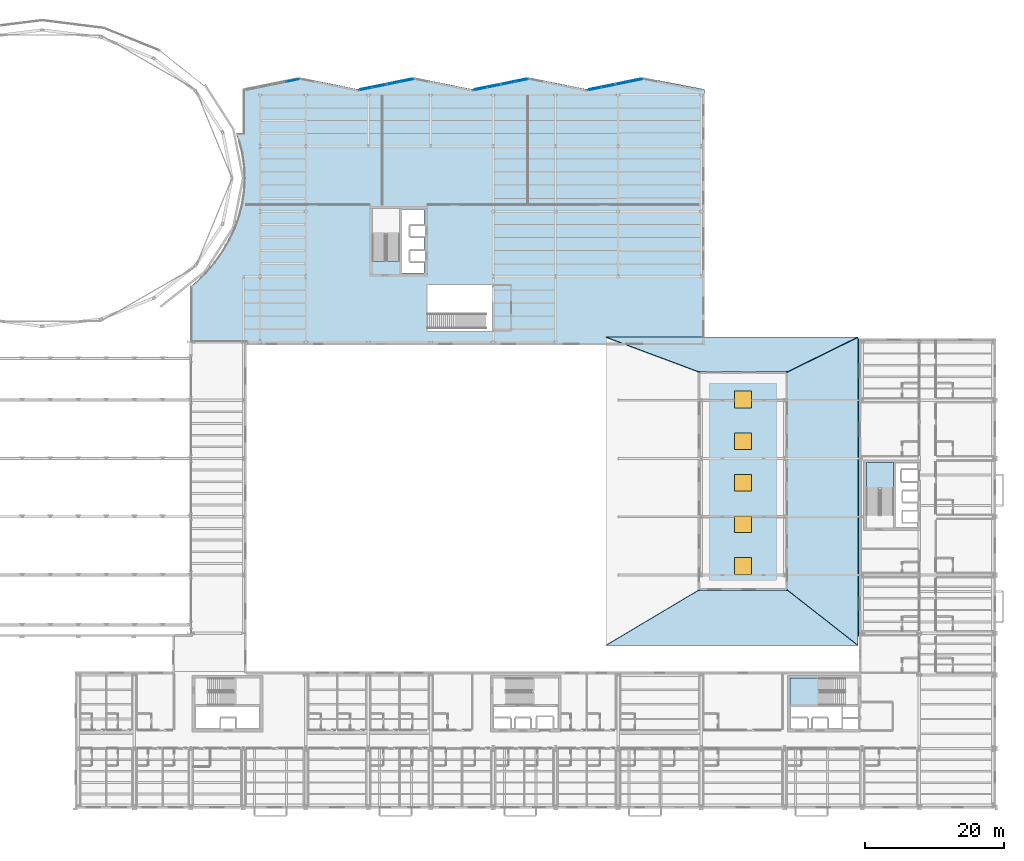
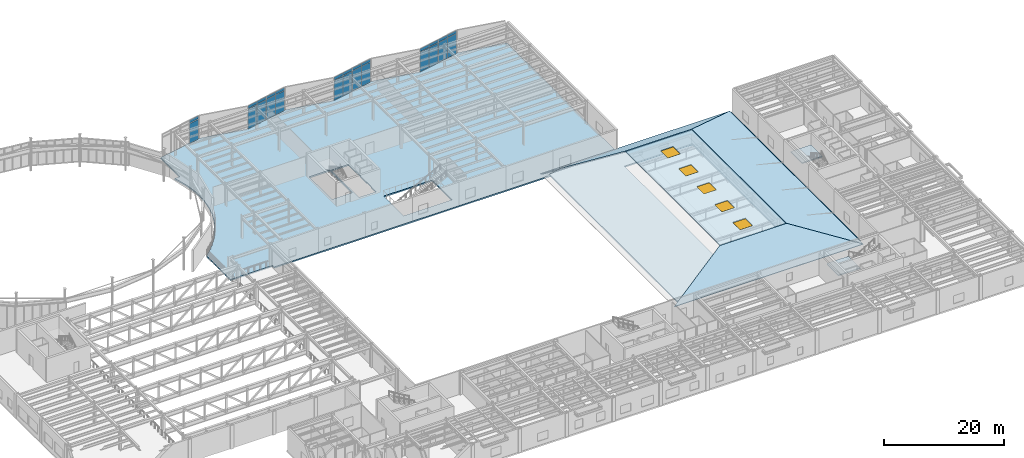
# One storey, part 60 of 91: 29 plates, 8 slabs, 5 windows, 5 openings, 9 elements without a shape of their own.
"""IFC4 building model written with IfcOpenShell, lengths in metres."""

from ifc_helpers import new_model, si_unit, direction, frame, origin, origin_2d, place, context, subcontext, project, spatial, polyline, rectangle, outline, extrude, material, layer, layer_set, type_object, element, fill, aggregate, save


model = new_model("IFC4")

# Units and contexts
model_context = context("Model", 3, precision=1e-05, world=origin(), true_north=direction((0.0, 1.0)))
body_context = subcontext(model_context, "Body", "Model", "MODEL_VIEW")
ifc_project = project(units=[si_unit("LENGTHUNIT", "METRE"), si_unit("AREAUNIT", "SQUARE_METRE"), si_unit("VOLUMEUNIT", "CUBIC_METRE"), si_unit("PLANEANGLEUNIT", "RADIAN"), si_unit("MASSUNIT", "GRAM", prefix="KILO")], contexts=[model_context])

# Site, building, storey
site_placement = place(None, origin())
site = spatial("IfcSite", under=ifc_project, at=site_placement, CompositionType="ELEMENT")
building_placement = place(site_placement, origin())
building = spatial("IfcBuilding", under=site, at=building_placement, Name="Sollismere Congress Hotel", CompositionType="ELEMENT")
storey_placement = place(building_placement, frame((0.0, 0.0, 10.800048828125)))
storey = spatial("IfcBuildingStorey", under=building, at=storey_placement, Name="L02", CompositionType="ELEMENT", Elevation=10.800048828125)

# Curtain wall, plate
ifc_material_1 = material(Name="Anodized Bronze Curtain Wall & Low-E Triple Glazing", Category="glass")
ifc_layer_1 = layer(ifc_material_1, 0.199951171875, Name="Anodized Bronze Curtain Wall & Low-E Triple Glazing")
ifc_layer_set_1 = layer_set([ifc_layer_1], Name="Anodized Bronze Curtain Wall & Low-E Triple Glazing")
curtain_wall_type = type_object("IfcCurtainWallType", Name="CW-GLZ36", PredefinedType="USERDEFINED", material=ifc_layer_set_1)
curtain_wall_1_placement = place(storey_placement, origin())
curtain_wall_1 = element("IfcCurtainWall", 1, at=curtain_wall_1_placement, inside=storey, type_object=curtain_wall_type, Name="Unitised curtain wall CW-L02-098", ObjectType="UNITISED CURTAIN WALL", PredefinedType="USERDEFINED")
ifc_material_2 = material(Name="Blue-Tinted Solar-Control Low-E Vision Glass", Category="glass")
ifc_layer_2 = layer(ifc_material_2, 0.035888671875, Name="Blue-Tinted Solar-Control Low-E Vision Glass")
ifc_layer_set_2 = layer_set([ifc_layer_2], Name="Blue-Tinted Solar-Control Low-E Vision Glass")
plate_type_1 = type_object("IfcPlateType", Name="PL-CWGLZ", PredefinedType="CURTAIN_PANEL", material=ifc_layer_set_2)
plate_1_placement = place(storey_placement, frame((65.11181640625, 104.467041015625, 0.052734375), z_axis=(0.0, 0.0, 1.0), x_axis=(0.979924704621, 0.199367934417, 0.0)))
plate_1 = element("IfcPlate", 2, at=plate_1_placement, type_object=plate_type_1, Name="CWL-CW-L02-098-VP02", PredefinedType="CURTAIN_PANEL", context=body_context, shape_type="SweptSolid", body=[
    extrude(rectangle(XDim=1.955810546875, YDim=0.035888671875, at=origin_2d()), origin(), (0.0, 0.0, 1.0), 4.009033203125),
])

# Curtain wall, plates
curtain_wall_2_placement = place(storey_placement, origin())
curtain_wall_2 = element("IfcCurtainWall", 3, at=curtain_wall_2_placement, inside=storey, type_object=curtain_wall_type, Name="Unitised curtain wall CW-L02-099", ObjectType="UNITISED CURTAIN WALL", PredefinedType="USERDEFINED")
plate_2_placement = place(storey_placement, frame((75.63818359375, 103.25146484375, 0.052734375), z_axis=(0.0, 0.0, 1.0), x_axis=(0.979924704621, 0.199367934417, 0.0)))
plate_2 = element("IfcPlate", 4, at=plate_2_placement, type_object=plate_type_1, Name="CWL-CW-L02-099-VP01", PredefinedType="CURTAIN_PANEL", context=body_context, shape_type="SweptSolid", body=[
    extrude(rectangle(XDim=1.955810546875, YDim=0.035888671875, at=origin_2d()), origin(), (0.0, 0.0, 1.0), 4.009033203125),
])
plate_3_placement = place(storey_placement, frame((77.6044921875, 103.651611328125, 0.052734375), z_axis=(0.0, 0.0, 1.0), x_axis=(0.979924704621, 0.199367934417, 0.0)))
plate_3 = element("IfcPlate", 5, at=plate_3_placement, type_object=plate_type_1, Name="CWL-CW-L02-099-VP02", PredefinedType="CURTAIN_PANEL", context=body_context, shape_type="SweptSolid", body=[
    extrude(rectangle(XDim=1.955810546875, YDim=0.035888671875, at=origin_2d()), origin(), (0.0, 0.0, 1.0), 4.009033203125),
])

curtain_wall_3_placement = place(storey_placement, origin())
curtain_wall_3 = element("IfcCurtainWall", 6, at=curtain_wall_3_placement, inside=storey, type_object=curtain_wall_type, Name="Unitised curtain wall CW-L02-100", ObjectType="UNITISED CURTAIN WALL", PredefinedType="USERDEFINED")
plate_4_placement = place(storey_placement, frame((79.6455078125, 104.06689453125, 0.052734375), z_axis=(0.0, 0.0, 1.0), x_axis=(0.979924704621, 0.199367934417, 0.0)))
plate_4 = element("IfcPlate", 7, at=plate_4_placement, type_object=plate_type_1, Name="CWL-CW-L02-100-VP01", PredefinedType="CURTAIN_PANEL", context=body_context, shape_type="SweptSolid", body=[
    extrude(rectangle(XDim=1.955810546875, YDim=0.035888671875, at=origin_2d()), origin(), (0.0, 0.0, 1.0), 4.009033203125),
])
plate_5_placement = place(storey_placement, frame((81.61181640625, 104.467041015625, 0.052734375), z_axis=(0.0, 0.0, 1.0), x_axis=(0.979924704621, 0.199367934417, 0.0)))
plate_5 = element("IfcPlate", 8, at=plate_5_placement, type_object=plate_type_1, Name="CWL-CW-L02-100-VP02", PredefinedType="CURTAIN_PANEL", context=body_context, shape_type="SweptSolid", body=[
    extrude(rectangle(XDim=1.955810546875, YDim=0.035888671875, at=origin_2d()), origin(), (0.0, 0.0, 1.0), 4.009033203125),
])

curtain_wall_4_placement = place(storey_placement, origin())
curtain_wall_4 = element("IfcCurtainWall", 9, at=curtain_wall_4_placement, inside=storey, type_object=curtain_wall_type, Name="Unitised curtain wall CW-L02-101", ObjectType="UNITISED CURTAIN WALL", PredefinedType="USERDEFINED")
plate_6_placement = place(storey_placement, frame((92.13818359375, 103.25146484375, 0.052734375), z_axis=(0.0, 0.0, 1.0), x_axis=(0.979924704621, 0.199367934417, 0.0)))
plate_6 = element("IfcPlate", 10, at=plate_6_placement, type_object=plate_type_1, Name="CWL-CW-L02-101-VP01", PredefinedType="CURTAIN_PANEL", context=body_context, shape_type="SweptSolid", body=[
    extrude(rectangle(XDim=1.955810546875, YDim=0.035888671875, at=origin_2d()), origin(), (0.0, 0.0, 1.0), 4.009033203125),
])
plate_7_placement = place(storey_placement, frame((94.1044921875, 103.651611328125, 0.052734375), z_axis=(0.0, 0.0, 1.0), x_axis=(0.979924704621, 0.199367934417, 0.0)))
plate_7 = element("IfcPlate", 11, at=plate_7_placement, type_object=plate_type_1, Name="CWL-CW-L02-101-VP02", PredefinedType="CURTAIN_PANEL", context=body_context, shape_type="SweptSolid", body=[
    extrude(rectangle(XDim=1.955810546875, YDim=0.035888671875, at=origin_2d()), origin(), (0.0, 0.0, 1.0), 4.009033203125),
])

curtain_wall_5_placement = place(storey_placement, origin())
curtain_wall_5 = element("IfcCurtainWall", 12, at=curtain_wall_5_placement, inside=storey, type_object=curtain_wall_type, Name="Unitised curtain wall CW-L02-102", ObjectType="UNITISED CURTAIN WALL", PredefinedType="USERDEFINED")
plate_8_placement = place(storey_placement, frame((96.1455078125, 104.06689453125, 0.052734375), z_axis=(0.0, 0.0, 1.0), x_axis=(0.979924704621, 0.199367934417, 0.0)))
plate_8 = element("IfcPlate", 13, at=plate_8_placement, type_object=plate_type_1, Name="CWL-CW-L02-102-VP01", PredefinedType="CURTAIN_PANEL", context=body_context, shape_type="SweptSolid", body=[
    extrude(rectangle(XDim=1.955810546875, YDim=0.035888671875, at=origin_2d()), origin(), (0.0, 0.0, 1.0), 4.009033203125),
])
plate_9_placement = place(storey_placement, frame((98.11181640625, 104.467041015625, 0.052734375), z_axis=(0.0, 0.0, 1.0), x_axis=(0.979924704621, 0.199367934417, 0.0)))
plate_9 = element("IfcPlate", 14, at=plate_9_placement, type_object=plate_type_1, Name="CWL-CW-L02-102-VP02", PredefinedType="CURTAIN_PANEL", context=body_context, shape_type="SweptSolid", body=[
    extrude(rectangle(XDim=1.955810546875, YDim=0.035888671875, at=origin_2d()), origin(), (0.0, 0.0, 1.0), 4.009033203125),
])

curtain_wall_6_placement = place(storey_placement, origin())
curtain_wall_6 = element("IfcCurtainWall", 15, at=curtain_wall_6_placement, inside=storey, type_object=curtain_wall_type, Name="Unitised curtain wall CW-L02-103", ObjectType="UNITISED CURTAIN WALL", PredefinedType="USERDEFINED")
plate_10_placement = place(storey_placement, frame((108.63818359375, 103.25146484375, 0.052734375), z_axis=(0.0, 0.0, 1.0), x_axis=(0.979924704621, 0.199367934417, 0.0)))
plate_10 = element("IfcPlate", 16, at=plate_10_placement, type_object=plate_type_1, Name="CWL-CW-L02-103-VP01", PredefinedType="CURTAIN_PANEL", context=body_context, shape_type="SweptSolid", body=[
    extrude(rectangle(XDim=1.955810546875, YDim=0.035888671875, at=origin_2d()), origin(), (0.0, 0.0, 1.0), 4.009033203125),
])
plate_11_placement = place(storey_placement, frame((110.6044921875, 103.651611328125, 0.052734375), z_axis=(0.0, 0.0, 1.0), x_axis=(0.979924704621, 0.199367934417, 0.0)))
plate_11 = element("IfcPlate", 17, at=plate_11_placement, type_object=plate_type_1, Name="CWL-CW-L02-103-VP02", PredefinedType="CURTAIN_PANEL", context=body_context, shape_type="SweptSolid", body=[
    extrude(rectangle(XDim=1.955810546875, YDim=0.035888671875, at=origin_2d()), origin(), (0.0, 0.0, 1.0), 4.009033203125),
])

curtain_wall_7_placement = place(storey_placement, origin())
curtain_wall_7 = element("IfcCurtainWall", 18, at=curtain_wall_7_placement, inside=storey, type_object=curtain_wall_type, Name="Unitised curtain wall CW-L02-104", ObjectType="UNITISED CURTAIN WALL", PredefinedType="USERDEFINED")
plate_12_placement = place(storey_placement, frame((112.6455078125, 104.06689453125, 0.052734375), z_axis=(0.0, 0.0, 1.0), x_axis=(0.979924704621, 0.199367934417, 0.0)))
plate_12 = element("IfcPlate", 19, at=plate_12_placement, type_object=plate_type_1, Name="CWL-CW-L02-104-VP01", PredefinedType="CURTAIN_PANEL", context=body_context, shape_type="SweptSolid", body=[
    extrude(rectangle(XDim=1.955810546875, YDim=0.035888671875, at=origin_2d()), origin(), (0.0, 0.0, 1.0), 4.009033203125),
])
plate_13_placement = place(storey_placement, frame((114.61181640625, 104.467041015625, 0.052734375), z_axis=(0.0, 0.0, 1.0), x_axis=(0.979924704621, 0.199367934417, 0.0)))
plate_13 = element("IfcPlate", 20, at=plate_13_placement, type_object=plate_type_1, Name="CWL-CW-L02-104-VP02", PredefinedType="CURTAIN_PANEL", context=body_context, shape_type="SweptSolid", body=[
    extrude(rectangle(XDim=1.955810546875, YDim=0.035888671875, at=origin_2d()), origin(), (0.0, 0.0, 1.0), 4.009033203125),
])

# Plate
ifc_material_3 = material(Name="Anodized Bronze Insulated Spandrel Panel")
ifc_layer_3 = layer(ifc_material_3, 0.044921875, Name="Anodized Bronze Insulated Spandrel Panel")
ifc_layer_set_3 = layer_set([ifc_layer_3], Name="Anodized Bronze Insulated Spandrel Panel")
plate_type_2 = type_object("IfcPlateType", Name="PL-CWSPN", PredefinedType="SHEET", material=ifc_layer_set_3)
plate_14_placement = place(storey_placement, frame((65.11181640625, 104.467041015625, 4.177734375), z_axis=(0.0, 0.0, 1.0), x_axis=(0.979924704621, 0.199367934417, 0.0)))
plate_14 = element("IfcPlate", 21, at=plate_14_placement, type_object=plate_type_2, Name="CWL-CW-L02-098-SP02", PredefinedType="SHEET", context=body_context, shape_type="SweptSolid", body=[
    extrude(rectangle(XDim=1.955810546875, YDim=0.044921875, at=origin_2d()), origin(), (0.0, 0.0, 1.0), 0.569091796875),
])

aggregate(curtain_wall_1, [plate_1, plate_14])

plate_15_placement = place(storey_placement, frame((75.63818359375, 103.25146484375, 4.177734375), z_axis=(0.0, 0.0, 1.0), x_axis=(0.979924704621, 0.199367934417, 0.0)))
plate_15 = element("IfcPlate", 22, at=plate_15_placement, type_object=plate_type_2, Name="CWL-CW-L02-099-SP01", PredefinedType="SHEET", context=body_context, shape_type="SweptSolid", body=[
    extrude(rectangle(XDim=1.955810546875, YDim=0.044921875, at=origin_2d()), origin(), (0.0, 0.0, 1.0), 0.569091796875),
])

plate_16_placement = place(storey_placement, frame((77.6044921875, 103.651611328125, 4.177734375), z_axis=(0.0, 0.0, 1.0), x_axis=(0.979924704621, 0.199367934417, 0.0)))
plate_16 = element("IfcPlate", 23, at=plate_16_placement, type_object=plate_type_2, Name="CWL-CW-L02-099-SP02", PredefinedType="SHEET", context=body_context, shape_type="SweptSolid", body=[
    extrude(rectangle(XDim=1.955810546875, YDim=0.044921875, at=origin_2d()), origin(), (0.0, 0.0, 1.0), 0.569091796875),
])

aggregate(curtain_wall_2, [plate_2, plate_15, plate_3, plate_16])

plate_17_placement = place(storey_placement, frame((79.6455078125, 104.06689453125, 4.177734375), z_axis=(0.0, 0.0, 1.0), x_axis=(0.979924704621, 0.199367934417, 0.0)))
plate_17 = element("IfcPlate", 24, at=plate_17_placement, type_object=plate_type_2, Name="CWL-CW-L02-100-SP01", PredefinedType="SHEET", context=body_context, shape_type="SweptSolid", body=[
    extrude(rectangle(XDim=1.955810546875, YDim=0.044921875, at=origin_2d()), origin(), (0.0, 0.0, 1.0), 0.569091796875),
])

plate_18_placement = place(storey_placement, frame((81.61181640625, 104.467041015625, 4.177734375), z_axis=(0.0, 0.0, 1.0), x_axis=(0.979924704621, 0.199367934417, 0.0)))
plate_18 = element("IfcPlate", 25, at=plate_18_placement, type_object=plate_type_2, Name="CWL-CW-L02-100-SP02", PredefinedType="SHEET", context=body_context, shape_type="SweptSolid", body=[
    extrude(rectangle(XDim=1.955810546875, YDim=0.044921875, at=origin_2d()), origin(), (0.0, 0.0, 1.0), 0.569091796875),
])

aggregate(curtain_wall_3, [plate_4, plate_17, plate_5, plate_18])

plate_19_placement = place(storey_placement, frame((92.13818359375, 103.25146484375, 4.177734375), z_axis=(0.0, 0.0, 1.0), x_axis=(0.979924704621, 0.199367934417, 0.0)))
plate_19 = element("IfcPlate", 26, at=plate_19_placement, type_object=plate_type_2, Name="CWL-CW-L02-101-SP01", PredefinedType="SHEET", context=body_context, shape_type="SweptSolid", body=[
    extrude(rectangle(XDim=1.955810546875, YDim=0.044921875, at=origin_2d()), origin(), (0.0, 0.0, 1.0), 0.569091796875),
])

plate_20_placement = place(storey_placement, frame((94.1044921875, 103.651611328125, 4.177734375), z_axis=(0.0, 0.0, 1.0), x_axis=(0.979924704621, 0.199367934417, 0.0)))
plate_20 = element("IfcPlate", 27, at=plate_20_placement, type_object=plate_type_2, Name="CWL-CW-L02-101-SP02", PredefinedType="SHEET", context=body_context, shape_type="SweptSolid", body=[
    extrude(rectangle(XDim=1.955810546875, YDim=0.044921875, at=origin_2d()), origin(), (0.0, 0.0, 1.0), 0.569091796875),
])

aggregate(curtain_wall_4, [plate_6, plate_19, plate_7, plate_20])

plate_21_placement = place(storey_placement, frame((96.1455078125, 104.06689453125, 4.177734375), z_axis=(0.0, 0.0, 1.0), x_axis=(0.979924704621, 0.199367934417, 0.0)))
plate_21 = element("IfcPlate", 28, at=plate_21_placement, type_object=plate_type_2, Name="CWL-CW-L02-102-SP01", PredefinedType="SHEET", context=body_context, shape_type="SweptSolid", body=[
    extrude(rectangle(XDim=1.955810546875, YDim=0.044921875, at=origin_2d()), origin(), (0.0, 0.0, 1.0), 0.569091796875),
])

plate_22_placement = place(storey_placement, frame((98.11181640625, 104.467041015625, 4.177734375), z_axis=(0.0, 0.0, 1.0), x_axis=(0.979924704621, 0.199367934417, 0.0)))
plate_22 = element("IfcPlate", 29, at=plate_22_placement, type_object=plate_type_2, Name="CWL-CW-L02-102-SP02", PredefinedType="SHEET", context=body_context, shape_type="SweptSolid", body=[
    extrude(rectangle(XDim=1.955810546875, YDim=0.044921875, at=origin_2d()), origin(), (0.0, 0.0, 1.0), 0.569091796875),
])

aggregate(curtain_wall_5, [plate_8, plate_21, plate_9, plate_22])

plate_23_placement = place(storey_placement, frame((108.63818359375, 103.25146484375, 4.177734375), z_axis=(0.0, 0.0, 1.0), x_axis=(0.979924704621, 0.199367934417, 0.0)))
plate_23 = element("IfcPlate", 30, at=plate_23_placement, type_object=plate_type_2, Name="CWL-CW-L02-103-SP01", PredefinedType="SHEET", context=body_context, shape_type="SweptSolid", body=[
    extrude(rectangle(XDim=1.955810546875, YDim=0.044921875, at=origin_2d()), origin(), (0.0, 0.0, 1.0), 0.569091796875),
])

plate_24_placement = place(storey_placement, frame((110.6044921875, 103.651611328125, 4.177734375), z_axis=(0.0, 0.0, 1.0), x_axis=(0.979924704621, 0.199367934417, 0.0)))
plate_24 = element("IfcPlate", 31, at=plate_24_placement, type_object=plate_type_2, Name="CWL-CW-L02-103-SP02", PredefinedType="SHEET", context=body_context, shape_type="SweptSolid", body=[
    extrude(rectangle(XDim=1.955810546875, YDim=0.044921875, at=origin_2d()), origin(), (0.0, 0.0, 1.0), 0.569091796875),
])

aggregate(curtain_wall_6, [plate_10, plate_23, plate_11, plate_24])

plate_25_placement = place(storey_placement, frame((112.6455078125, 104.06689453125, 4.177734375), z_axis=(0.0, 0.0, 1.0), x_axis=(0.979924704621, 0.199367934417, 0.0)))
plate_25 = element("IfcPlate", 32, at=plate_25_placement, type_object=plate_type_2, Name="CWL-CW-L02-104-SP01", PredefinedType="SHEET", context=body_context, shape_type="SweptSolid", body=[
    extrude(rectangle(XDim=1.955810546875, YDim=0.044921875, at=origin_2d()), origin(), (0.0, 0.0, 1.0), 0.569091796875),
])

plate_26_placement = place(storey_placement, frame((114.61181640625, 104.467041015625, 4.177734375), z_axis=(0.0, 0.0, 1.0), x_axis=(0.979924704621, 0.199367934417, 0.0)))
plate_26 = element("IfcPlate", 33, at=plate_26_placement, type_object=plate_type_2, Name="CWL-CW-L02-104-SP02", PredefinedType="SHEET", context=body_context, shape_type="SweptSolid", body=[
    extrude(rectangle(XDim=1.955810546875, YDim=0.044921875, at=origin_2d()), origin(), (0.0, 0.0, 1.0), 0.569091796875),
])

aggregate(curtain_wall_7, [plate_12, plate_25, plate_13, plate_26])

# Plates
ifc_material_4 = material(Name="Perforated Architectural Bronze Sebeke Screen")
ifc_layer_4 = layer(ifc_material_4, 0.0380859375, Name="Perforated Architectural Bronze Sebeke Screen")
ifc_layer_set_4 = layer_set([ifc_layer_4], Name="Perforated Architectural Bronze Sebeke Screen")
plate_type_3 = type_object("IfcPlateType", Name="PL-SBK32", PredefinedType="USERDEFINED", material=ifc_layer_set_4)
for number, where, z_axis, x_axis, name in (
    (34, (78.60107421875, 103.976806640625, 1.5751953125), (0.0, 0.0, 1.0), (0.979924704621, 0.199367934417, 0.0), "PLT-SBK-011"),
    (35, (95.10107421875, 103.976806640625, 1.5751953125), (0.0, 0.0, 1.0), (0.979924704621, 0.199367934417, 0.0), "PLT-SBK-012"),
    (36, (111.60107421875, 103.976806640625, 1.5751953125), (0.0, 0.0, 1.0), (0.979924704621, 0.199367934417, 0.0), "PLT-SBK-013"),
):
    element("IfcPlate", number, at=place(storey_placement, frame(where, z_axis=z_axis, x_axis=x_axis)), inside=storey, type_object=plate_type_3, Name=name, ObjectType="PERFORATED SCREEN", PredefinedType="USERDEFINED", context=body_context, shape_type="SweptSolid", body=[
        extrude(rectangle(XDim=7.618896484375, YDim=0.0380859375, at=origin_2d()), origin(), (0.0, 0.0, 1.0), 2.429931640625),
    ])

# Slab
ifc_material_5 = material(Name="Concrete C40/50", Category="concrete")
ifc_layer_5 = layer(ifc_material_5, 0.280029296875, Name="Concrete C40/50")
ifc_layer_set_5 = layer_set([ifc_layer_5], Name="Concrete C40/50")
slab_type_1 = type_object("IfcSlabType", Name="SL-FLR280", PredefinedType="FLOOR", material=ifc_layer_set_5)
slab_1_placement = place(storey_placement, frame((0.0, 0.0, -0.280029296875)))
element("IfcSlab", 37, at=slab_1_placement, inside=storey, type_object=slab_type_1, Name="Slab SL-L02-V2", PredefinedType="FLOOR", context=body_context, shape_type="SweptSolid", body=[
    extrude(outline(polyline([(58.47998046875, 66.320068359375), (111.52001953125, 66.320068359375), (111.52001953125, 66.800048828125), (124.47998046875, 66.800048828125), (124.47998046875, 103.199951171875), (115.75, 104.87841796875), (107.5, 103.199951171875), (99.25, 104.87841796875), (91.0, 103.199951171875), (82.75, 104.87841796875), (74.5, 103.199951171875), (66.25, 104.87841796875), (58.0, 103.199951171875), (58.0, 96.800048828125), (56.94873046875, 96.800048828125), (57.3056640625, 95.794921875), (57.751708984375, 94.01513671875), (58.020263671875, 92.212890625), (58.110107421875, 90.3994140625), (58.020263671875, 88.586181640625), (57.75146484375, 86.783935546875), (57.305419921875, 85.004150390625), (56.684814453125, 83.257568359375), (55.8935546875, 81.554931640625), (54.9365234375, 79.906982421875), (53.819580078125, 78.323974609375), (52.549560546875, 76.815185546875), (51.13427734375, 75.39013671875), (50.39990234375, 74.759521484375), (50.39990234375, 66.800048828125), (58.0, 66.800048828125), (58.47998046875, 66.800048828125), (58.47998046875, 66.320068359375)]), holes=[polyline([(84.550048828125, 75.0), (93.829345703125, 75.0), (93.829345703125, 68.39990234375), (84.550048828125, 68.39990234375), (84.550048828125, 75.0)]), polyline([(84.14501953125, 79.969970703125), (84.14501953125, 78.429931640625), (84.06005859375, 78.429931640625), (84.06005859375, 76.739990234375), (80.77001953125, 76.739990234375), (80.77001953125, 85.860107421875), (84.06005859375, 85.860107421875), (84.06005859375, 83.570068359375), (84.14501953125, 83.570068359375), (84.14501953125, 82.030029296875), (84.06005859375, 82.030029296875), (84.06005859375, 79.969970703125), (84.14501953125, 79.969970703125)]), polyline([(80.5, 86.0), (80.5, 78.45068359375), (76.60009765625, 78.45068359375), (76.60009765625, 86.0), (80.5, 86.0)])]), origin(), (0.0, 0.0, 1.0), 0.280029296875),
])

# Stair, slab
stair_type = type_object("IfcStairType", Name="STR-DL-480", PredefinedType="HALF_TURN_STAIR", material=ifc_material_5)
stair_1_placement = place(storey_placement, origin())
stair_1 = element("IfcStair", 38, at=stair_1_placement, inside=storey, type_object=stair_type, Name="Protected exit stair ST-01-L02", PredefinedType="HALF_TURN_STAIR")
ifc_layer_6 = layer(ifc_material_5, 0.199951171875, Name="Concrete C40/50")
ifc_layer_set_6 = layer_set([ifc_layer_6], Name="Concrete C40/50")
slab_type_2 = type_object("IfcSlabType", Name="SL-LND200", PredefinedType="LANDING", material=ifc_layer_set_6)
slab_2_placement = place(storey_placement, frame((0.0, 0.0, 2.199951171875)))
slab_2 = element("IfcSlab", 39, at=slab_2_placement, type_object=slab_type_2, Name="Exit stair half-landing ST-01-L02-L1", PredefinedType="LANDING", context=body_context, shape_type="SweptSolid", body=[
    extrude(outline(polyline([(140.97998046875, 18.35009765625), (136.800048828125, 18.35009765625), (136.800048828125, 14.449951171875), (140.97998046875, 14.449951171875), (140.97998046875, 18.35009765625)])), origin(), (0.0, 0.0, 1.0), 0.199951171875),
])
aggregate(stair_1, [slab_2])

stair_2_placement = place(storey_placement, origin())
stair_2 = element("IfcStair", 40, at=stair_2_placement, inside=storey, type_object=stair_type, Name="Protected exit stair ST-03-L02", PredefinedType="HALF_TURN_STAIR")
slab_3_placement = place(storey_placement, frame((0.0, 0.0, 2.199951171875)))
slab_3 = element("IfcSlab", 41, at=slab_3_placement, type_object=slab_type_2, Name="Exit stair half-landing ST-03-L02-L1", PredefinedType="LANDING", context=body_context, shape_type="SweptSolid", body=[
    extrude(outline(polyline([(151.699951171875, 45.6201171875), (151.699951171875, 49.39990234375), (147.800048828125, 49.39990234375), (147.800048828125, 45.6201171875), (151.699951171875, 45.6201171875)])), origin(), (0.0, 0.0, 1.0), 0.199951171875),
])
aggregate(stair_2, [slab_3])

# Slab, openings, windows
ifc_layer_7 = layer(ifc_material_5, 0.219970703125, Name="Concrete C40/50")
ifc_layer_set_7 = layer_set([ifc_layer_7], Name="Concrete C40/50")
slab_type_3 = type_object("IfcSlabType", Name="SL-ROOF220", PredefinedType="ROOF", material=ifc_layer_set_7)
slab_4_placement = place(storey_placement, frame((0.0, 0.0, 2.780029296875)))
slab_4 = element("IfcSlab", 42, at=slab_4_placement, inside=storey, type_object=slab_type_3, Name="SLB-SL-SPA-RC", PredefinedType="ROOF", context=body_context, shape_type="SweptSolid", body=[
    extrude(outline(polyline([(123.659912109375, 31.06005859375), (136.340087890625, 31.06005859375), (136.340087890625, 62.43994140625), (123.659912109375, 62.43994140625), (123.659912109375, 31.06005859375)]), holes=[polyline([(128.800048828125, 35.699951171875), (131.199951171875, 35.699951171875), (131.199951171875, 33.300048828125), (128.800048828125, 33.300048828125), (128.800048828125, 35.699951171875)]), polyline([(128.800048828125, 41.699951171875), (131.199951171875, 41.699951171875), (131.199951171875, 39.300048828125), (128.800048828125, 39.300048828125), (128.800048828125, 41.699951171875)]), polyline([(128.800048828125, 47.699951171875), (131.199951171875, 47.699951171875), (131.199951171875, 45.300048828125), (128.800048828125, 45.300048828125), (128.800048828125, 47.699951171875)]), polyline([(128.800048828125, 53.699951171875), (131.199951171875, 53.699951171875), (131.199951171875, 51.300048828125), (128.800048828125, 51.300048828125), (128.800048828125, 53.699951171875)]), polyline([(128.800048828125, 59.699951171875), (131.199951171875, 59.699951171875), (131.199951171875, 57.300048828125), (128.800048828125, 57.300048828125), (128.800048828125, 59.699951171875)])]), origin(), (0.0, 0.0, 1.0), 0.219970703125),
])
opening_1_placement = place(slab_4_placement, frame((130.0, 34.5, -0.010009765625)))
opening_1 = element("IfcOpeningElement", 43, at=opening_1_placement, cuts=slab_4, Name="Opening SK-SP01", PredefinedType="OPENING", context=body_context, shape_type="SweptSolid", body=[
    extrude(rectangle(XDim=2.39990234375, YDim=2.39990234375, at=origin_2d()), origin(), (0.0, 0.0, 1.0), 0.239990234375),
])
opening_2_placement = place(slab_4_placement, frame((130.0, 40.5, -0.010009765625)))
opening_2 = element("IfcOpeningElement", 44, at=opening_2_placement, cuts=slab_4, Name="Opening SK-SP02", PredefinedType="OPENING", context=body_context, shape_type="SweptSolid", body=[
    extrude(rectangle(XDim=2.39990234375, YDim=2.39990234375, at=origin_2d()), origin(), (0.0, 0.0, 1.0), 0.239990234375),
])
opening_3_placement = place(slab_4_placement, frame((130.0, 46.5, -0.010009765625)))
opening_3 = element("IfcOpeningElement", 45, at=opening_3_placement, cuts=slab_4, Name="Opening SK-SP03", PredefinedType="OPENING", context=body_context, shape_type="SweptSolid", body=[
    extrude(rectangle(XDim=2.39990234375, YDim=2.39990234375, at=origin_2d()), origin(), (0.0, 0.0, 1.0), 0.239990234375),
])
opening_4_placement = place(slab_4_placement, frame((130.0, 52.5, -0.010009765625)))
opening_4 = element("IfcOpeningElement", 46, at=opening_4_placement, cuts=slab_4, Name="Opening SK-SP04", PredefinedType="OPENING", context=body_context, shape_type="SweptSolid", body=[
    extrude(rectangle(XDim=2.39990234375, YDim=2.39990234375, at=origin_2d()), origin(), (0.0, 0.0, 1.0), 0.239990234375),
])
opening_5_placement = place(slab_4_placement, frame((130.0, 58.5, -0.010009765625)))
opening_5 = element("IfcOpeningElement", 47, at=opening_5_placement, cuts=slab_4, Name="Opening SK-SP05", PredefinedType="OPENING", context=body_context, shape_type="SweptSolid", body=[
    extrude(rectangle(XDim=2.39990234375, YDim=2.39990234375, at=origin_2d()), origin(), (0.0, 0.0, 1.0), 0.239990234375),
])
ifc_material_6 = material(Name="Thermally Broken Bronze Aluminum & Low-E Glass", Category="aluminium")
window_type = type_object("IfcWindowType", Name="SK-SP240", PartitioningType="SINGLE_PANEL", PredefinedType="SKYLIGHT", material=ifc_material_6)
window_1_placement = place(opening_1_placement, frame((0.0, 0.0, 0.08984375)))
window_1 = element("IfcWindow", 48, at=window_1_placement, inside=storey, type_object=window_type, Name="SKL-SP-01", OverallHeight=2.39990234375, OverallWidth=2.39990234375, PartitioningType="SINGLE_PANEL", PredefinedType="SKYLIGHT", context=body_context, shape_type="SweptSolid", body=[
    extrude(rectangle(XDim=2.39990234375, YDim=2.39990234375, at=origin_2d()), origin(), (0.0, 0.0, 1.0), 0.06005859375),
])
fill(opening_1, window_1)
window_2_placement = place(opening_2_placement, frame((0.0, 0.0, 0.08984375)))
window_2 = element("IfcWindow", 49, at=window_2_placement, inside=storey, type_object=window_type, Name="SKL-SP-02", OverallHeight=2.39990234375, OverallWidth=2.39990234375, PartitioningType="SINGLE_PANEL", PredefinedType="SKYLIGHT", context=body_context, shape_type="SweptSolid", body=[
    extrude(rectangle(XDim=2.39990234375, YDim=2.39990234375, at=origin_2d()), origin(), (0.0, 0.0, 1.0), 0.06005859375),
])
fill(opening_2, window_2)
window_3_placement = place(opening_3_placement, frame((0.0, 0.0, 0.08984375)))
window_3 = element("IfcWindow", 50, at=window_3_placement, inside=storey, type_object=window_type, Name="SKL-SP-03", OverallHeight=2.39990234375, OverallWidth=2.39990234375, PartitioningType="SINGLE_PANEL", PredefinedType="SKYLIGHT", context=body_context, shape_type="SweptSolid", body=[
    extrude(rectangle(XDim=2.39990234375, YDim=2.39990234375, at=origin_2d()), origin(), (0.0, 0.0, 1.0), 0.06005859375),
])
fill(opening_3, window_3)
window_4_placement = place(opening_4_placement, frame((0.0, 0.0, 0.08984375)))
window_4 = element("IfcWindow", 51, at=window_4_placement, inside=storey, type_object=window_type, Name="SKL-SP-04", OverallHeight=2.39990234375, OverallWidth=2.39990234375, PartitioningType="SINGLE_PANEL", PredefinedType="SKYLIGHT", context=body_context, shape_type="SweptSolid", body=[
    extrude(rectangle(XDim=2.39990234375, YDim=2.39990234375, at=origin_2d()), origin(), (0.0, 0.0, 1.0), 0.06005859375),
])
fill(opening_4, window_4)
window_5_placement = place(opening_5_placement, frame((0.0, 0.0, 0.08984375)))
window_5 = element("IfcWindow", 52, at=window_5_placement, inside=storey, type_object=window_type, Name="SKL-SP-05", OverallHeight=2.39990234375, OverallWidth=2.39990234375, PartitioningType="SINGLE_PANEL", PredefinedType="SKYLIGHT", context=body_context, shape_type="SweptSolid", body=[
    extrude(rectangle(XDim=2.39990234375, YDim=2.39990234375, at=origin_2d()), origin(), (0.0, 0.0, 1.0), 0.06005859375),
])
fill(opening_5, window_5)

# Slabs
ifc_layer_8 = layer(ifc_material_5, 0.27490234375, Name="Concrete C40/50")
ifc_layer_set_8 = layer_set([ifc_layer_8], Name="Concrete C40/50")
slab_type_4 = type_object("IfcSlabType", Name="SL-ROOF275", PredefinedType="ROOF", material=ifc_layer_set_8)
slab_5_placement = place(storey_placement, frame((0.0, 0.0, -0.275146484375)))
element("IfcSlab", 53, at=slab_5_placement, inside=storey, type_object=slab_type_4, Name="Slab SL-L02-SPV", PredefinedType="ROOF", context=body_context, shape_type="SweptSolid", body=[
    extrude(outline(polyline([(111.52001953125, 24.320068359375), (124.5, 24.320068359375), (146.719970703125, 24.320068359375), (146.719970703125, 67.280029296875), (124.5, 67.280029296875), (124.5, 66.7900390625), (111.52001953125, 66.7900390625), (111.52001953125, 24.320068359375)]), holes=[polyline([(136.5, 31.0), (123.5, 31.0), (123.5, 62.5), (136.5, 62.5), (136.5, 31.0)])]), origin(), (0.0, 0.0, 1.0), 0.275146484375),
])
ifc_material_7 = material(Name="Standing-Seam Zinc on Concrete C40/50", Category="concrete")
ifc_layer_9 = layer(ifc_material_7, 0.159912109375, Name="Standing-Seam Zinc on Concrete C40/50")
ifc_layer_set_9 = layer_set([ifc_layer_9], Name="Standing-Seam Zinc on Concrete C40/50")
slab_type_5 = type_object("IfcSlabType", Name="SL-SPA160", PredefinedType="ROOF", material=ifc_layer_set_9)
slab_6_placement = place(storey_placement, frame((136.35546875, 31.001953125, 2.846435546875), z_axis=(0.277335833099, 0.0, 0.960773040671), x_axis=(0.767692090117, -0.601283404221, -0.221601269356)))
element("IfcSlab", 54, at=slab_6_placement, inside=storey, type_object=slab_type_5, Name="Hipped roof facet SL-SPA-E", PredefinedType="ROOF", context=body_context, shape_type="SweptSolid", body=[
    extrude(outline(polyline([(0.0, 0.0), (13.2216796875, 0.0), (-13.5029296875, 35.513916015625), (-18.93798828125, 25.16650390625), (0.0, 0.0)])), origin(), (0.0, 0.0, 1.0), 0.159912109375),
])
slab_7_placement = place(storey_placement, frame((110.251953125, 23.10546875, -0.080078125), z_axis=(0.0, -0.345809512591, 0.938304737813), x_axis=(1.0, 0.0, 0.0)))
element("IfcSlab", 55, at=slab_7_placement, inside=storey, type_object=slab_type_5, Name="Hipped roof facet SL-SPA-S", PredefinedType="ROOF", context=body_context, shape_type="SweptSolid", body=[
    extrude(outline(polyline([(0.0, 0.0), (36.296142578125, 0.0), (26.14599609375, 8.47265625), (13.35009765625, 8.47265625), (0.0, 0.0)])), origin(), (0.0, 0.0, 1.0), 0.159912109375),
])
slab_8_placement = place(storey_placement, frame((123.60205078125, 62.419189453125, 2.862060546875), z_axis=(0.0, 0.505577860873, 0.862780984141), x_axis=(1.0, 0.0, 0.0)))
element("IfcSlab", 56, at=slab_8_placement, inside=storey, type_object=slab_type_5, Name="Hipped roof facet SL-SPA-N", PredefinedType="ROOF", context=body_context, shape_type="SweptSolid", body=[
    extrude(outline(polyline([(0.0, 0.0), (12.7958984375, 0.0), (22.946044921875, 5.795166015625), (-13.35009765625, 5.795166015625), (0.0, 0.0)])), origin(), (0.0, 0.0, 1.0), 0.159912109375),
])

save(model, "model.ifc")
